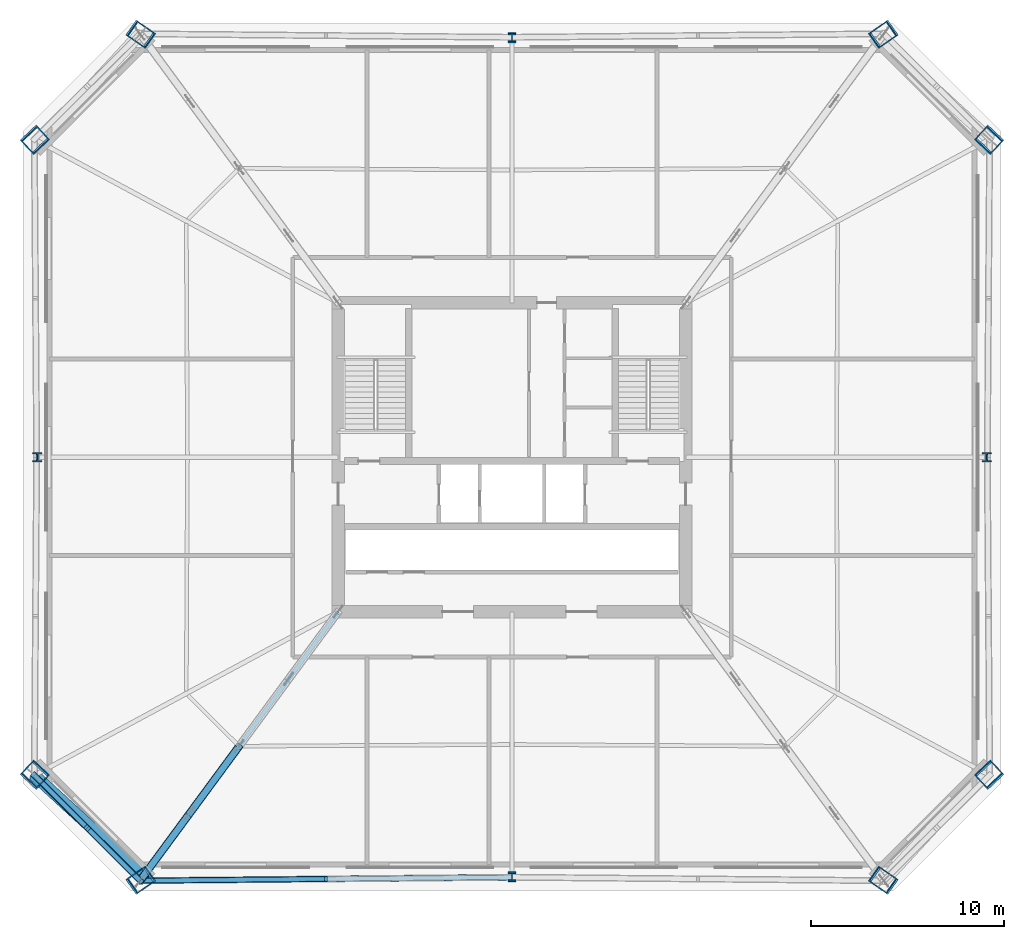
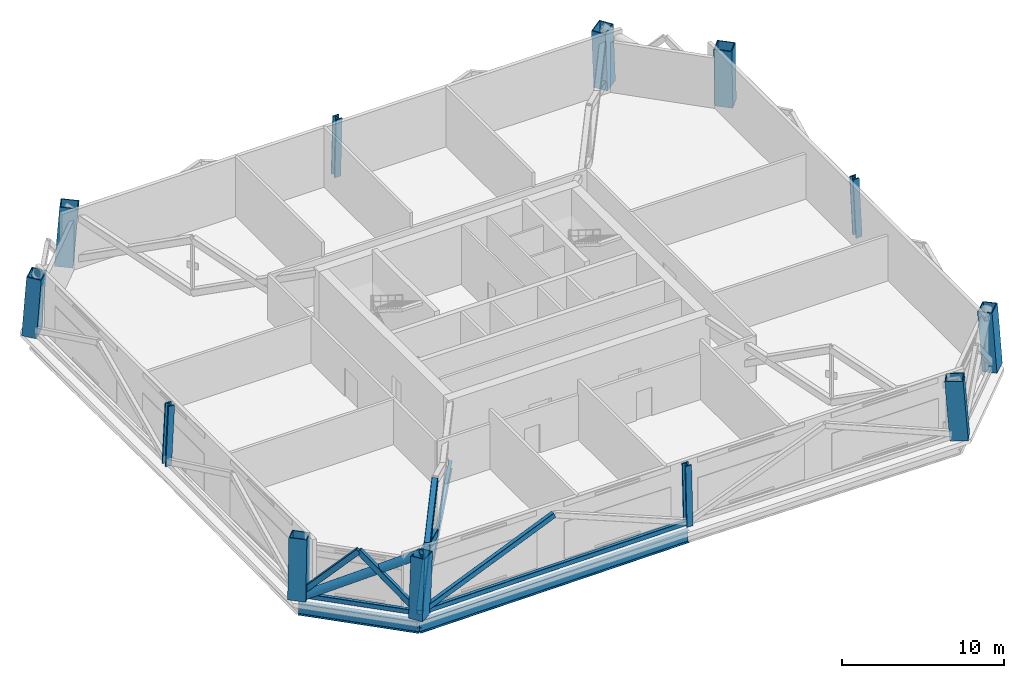
# One storey, part 1 of 14: 12 columns, 9 members, 3 beams.
"""IFC4 building model written with IfcOpenShell, lengths in metres."""

from ifc_helpers import new_model, si_unit, direction, frame, origin, origin_2d, place, context, subcontext, project, spatial, hollow_rectangle, hollow_circle, i_section, extrude, material, material_profile, profile_set, type_object, element, save


model = new_model("IFC4")

# Units and contexts
model_context = context("Model", 3, precision=1e-05, world=origin(), true_north=direction((0.0, 1.0)))
body_context = subcontext(model_context, "Body", "Model", "MODEL_VIEW")
ifc_project = project(units=[si_unit("LENGTHUNIT", "METRE"), si_unit("AREAUNIT", "SQUARE_METRE"), si_unit("VOLUMEUNIT", "CUBIC_METRE"), si_unit("PLANEANGLEUNIT", "RADIAN"), si_unit("MASSUNIT", "GRAM", prefix="KILO")], contexts=[model_context])

# Site, building, storey
site_placement = place(None, origin())
site = spatial("IfcSite", under=ifc_project, at=site_placement, CompositionType="ELEMENT")
building_placement = place(site_placement, origin())
building = spatial("IfcBuilding", under=site, at=building_placement, Name="Caelvoria Tower", CompositionType="ELEMENT")
storey_placement = place(building_placement, frame((0.0, 0.0, 85.60009765625)))
storey = spatial("IfcBuildingStorey", under=building, at=storey_placement, Name="L22", CompositionType="ELEMENT", Elevation=85.60009765625)

# Columns
ifc_material_1 = material(Name="Structural Steel ASTM A913 Gr.65", Category="steel")
ifc_material_profile_1 = material_profile(ifc_material_1, i_section(OverallWidth=0.427978515625, OverallDepth=0.48291015625, WebThickness=0.050537109375, FlangeThickness=0.08154296875, FilletRadius=0.02490234375, at=origin_2d()), Name="Structural Steel ASTM A913 Gr.65")
ifc_profile_set_1 = profile_set([ifc_material_profile_1], Name="W360X677 - Structural Steel ASTM A913 Gr.65")
column_type_1 = type_object("IfcColumnType", Name="Heavy Frame Column W360X677", PredefinedType="COLUMN", material=ifc_profile_set_1)
column_1_placement = place(storey_placement, frame((46.0, 10.25341796875, 0.0), z_axis=(0.0, 0.04091223057, 0.999162744196), x_axis=(-1.0, 0.0, 0.0)))
element("IfcColumn", 1, at=column_1_placement, inside=storey, type_object=column_type_1, Name="Perimeter Megaframe Column L22-P01", PredefinedType="COLUMN", context=body_context, shape_type="SweptSolid", body=[
    extrude(i_section(OverallWidth=0.427978515625, OverallDepth=0.48291015625, WebThickness=0.050537109375, FlangeThickness=0.08154296875, FilletRadius=0.02490234375, at=origin_2d()), origin(), (0.0, 0.0, 1.0), 4.4814453125),
])
column_2_placement = place(storey_placement, frame((70.61328125, 32.0, 0.0), z_axis=(-0.048305138147, 0.0, 0.998832625433), x_axis=(0.998832625433, 0.0, 0.048305138147)))
element("IfcColumn", 2, at=column_2_placement, inside=storey, type_object=column_type_1, Name="Perimeter Megaframe Column L22-P04", PredefinedType="COLUMN", context=body_context, shape_type="SweptSolid", body=[
    extrude(i_section(OverallWidth=0.427978515625, OverallDepth=0.48291015625, WebThickness=0.050537109375, FlangeThickness=0.08154296875, FilletRadius=0.02490234375, at=origin_2d()), origin(), (0.0, 0.0, 1.0), 4.48291015625),
])
column_3_placement = place(storey_placement, frame((46.0, 53.74658203125, 0.0), z_axis=(0.0, -0.04091223057, 0.999162744196), x_axis=(1.0, 0.0, 0.0)))
element("IfcColumn", 3, at=column_3_placement, inside=storey, type_object=column_type_1, Name="Perimeter Megaframe Column L22-P07", PredefinedType="COLUMN", context=body_context, shape_type="SweptSolid", body=[
    extrude(i_section(OverallWidth=0.427978515625, OverallDepth=0.48291015625, WebThickness=0.050537109375, FlangeThickness=0.08154296875, FilletRadius=0.02490234375, at=origin_2d()), origin(), (0.0, 0.0, 1.0), 4.4814453125),
])
column_4_placement = place(storey_placement, frame((21.38671875, 32.0, 0.0), z_axis=(0.048305138147, 0.0, 0.998832625433), x_axis=(-0.998832625433, 0.0, 0.048305138147)))
element("IfcColumn", 4, at=column_4_placement, inside=storey, type_object=column_type_1, Name="Perimeter Megaframe Column L22-P10", PredefinedType="COLUMN", context=body_context, shape_type="SweptSolid", body=[
    extrude(i_section(OverallWidth=0.427978515625, OverallDepth=0.48291015625, WebThickness=0.050537109375, FlangeThickness=0.08154296875, FilletRadius=0.02490234375, at=origin_2d()), origin(), (0.0, 0.0, 1.0), 4.48291015625),
])
ifc_material_2 = material(Name="Structural Steel ASTM A572 Gr.50", Category="steel")
ifc_material_profile_2 = material_profile(ifc_material_2, hollow_rectangle(XDim=0.949951171875, YDim=1.14990234375, WallThickness=0.06005859375, at=origin_2d()), Name="Structural Steel ASTM A572 Gr.50")
ifc_profile_set_2 = profile_set([ifc_material_profile_2], Name="BOX1150X950X60 - Structural Steel ASTM A572 Gr.50")
column_type_2 = type_object("IfcColumnType", Name="Mega Box Column 1150x950x60", PredefinedType="COLUMN", material=ifc_profile_set_2)
for number, where, z_axis, x_axis, name in (
    (5, (26.74169921875, 10.07421875, 0.0), (0.059112293674, 0.041112138011, 0.997404395842), (-0.570975970423, 0.820966772287, 0.0), "Perimeter Megaframe Column L22-P00"),
    (6, (65.25830078125, 10.07421875, 0.0), (-0.059112293674, 0.041112138011, 0.997404395842), (-0.570975970423, -0.820966772287, 0.0), "Perimeter Megaframe Column L22-P02"),
):
    element("IfcColumn", number, at=place(storey_placement, frame(where, z_axis=z_axis, x_axis=x_axis)), inside=storey, type_object=column_type_2, Name=name, PredefinedType="COLUMN", context=body_context, shape_type="SweptSolid", body=[
        extrude(hollow_rectangle(XDim=0.949951171875, YDim=1.14990234375, WallThickness=0.06005859375, at=origin_2d()), origin(), (0.0, 0.0, 1.0), 4.489501953125),
    ])
for number, where, z_axis, x_axis, name in (
    (7, (70.73388671875, 15.5322265625, 0.0), (-0.048457655791, 0.051666411899, 0.997488063827), (0.682375949735, -0.727561338101, 0.070834755052), "Perimeter Megaframe Column L22-P03"),
    (8, (70.73388671875, 48.4677734375, 0.0), (-0.048457655791, -0.051666411899, 0.997488063827), (0.682375949735, 0.727561338101, 0.070834755052), "Perimeter Megaframe Column L22-P05"),
):
    element("IfcColumn", number, at=place(storey_placement, frame(where, z_axis=z_axis, x_axis=x_axis)), inside=storey, type_object=column_type_2, Name=name, PredefinedType="COLUMN", context=body_context, shape_type="SweptSolid", body=[
        extrude(hollow_rectangle(XDim=0.949951171875, YDim=1.14990234375, WallThickness=0.06005859375, at=origin_2d()), origin(), (0.0, 0.0, 1.0), 4.489013671875),
    ])
for number, where, z_axis, x_axis, name in (
    (9, (65.25830078125, 53.92578125, 0.0), (-0.059112293674, -0.041112138011, 0.997404395842), (0.570975970423, -0.820966772287, 0.0), "Perimeter Megaframe Column L22-P06"),
    (10, (26.74169921875, 53.92578125, 0.0), (0.059112293674, -0.041112138011, 0.997404395842), (0.570975970423, 0.820966772287, 0.0), "Perimeter Megaframe Column L22-P08"),
):
    element("IfcColumn", number, at=place(storey_placement, frame(where, z_axis=z_axis, x_axis=x_axis)), inside=storey, type_object=column_type_2, Name=name, PredefinedType="COLUMN", context=body_context, shape_type="SweptSolid", body=[
        extrude(hollow_rectangle(XDim=0.949951171875, YDim=1.14990234375, WallThickness=0.06005859375, at=origin_2d()), origin(), (0.0, 0.0, 1.0), 4.489501953125),
    ])
for number, where, z_axis, x_axis, name in (
    (11, (21.26611328125, 48.4677734375, 0.0), (0.048457655791, -0.051666411899, 0.997488063827), (-0.682375949735, 0.727561338101, 0.070834755052), "Perimeter Megaframe Column L22-P09"),
    (12, (21.26611328125, 15.5322265625, 0.0), (0.048457655791, 0.051666411899, 0.997488063827), (-0.682375949735, -0.727561338101, 0.070834755052), "Perimeter Megaframe Column L22-P11"),
):
    element("IfcColumn", number, at=place(storey_placement, frame(where, z_axis=z_axis, x_axis=x_axis)), inside=storey, type_object=column_type_2, Name=name, PredefinedType="COLUMN", context=body_context, shape_type="SweptSolid", body=[
        extrude(hollow_rectangle(XDim=0.949951171875, YDim=1.14990234375, WallThickness=0.06005859375, at=origin_2d()), origin(), (0.0, 0.0, 1.0), 4.489013671875),
    ])

# Members
ifc_material_profile_3 = material_profile(ifc_material_2, hollow_rectangle(XDim=0.25, YDim=0.35009765625, WallThickness=0.013916015625, InnerFilletRadius=0.013916015625, OuterFilletRadius=0.028076171875, at=origin_2d()), Name="Structural Steel ASTM A572 Gr.50")
ifc_profile_set_3 = profile_set([ifc_material_profile_3], Name="HSS350X250X14 - Structural Steel ASTM A572 Gr.50")
member_type_1 = type_object("IfcMemberType", Name="Belt Truss Chord Member HSS350X250X14", PredefinedType="CHORD", material=ifc_profile_set_3)
member_1_placement = place(storey_placement, frame((26.74169921875, 10.07421875, 0.25), z_axis=(0.999956710946, 0.009304635098, 0.0), x_axis=(-0.009304635098, 0.999956710946, 0.0)))
element("IfcMember", 13, at=member_1_placement, inside=storey, type_object=member_type_1, Name="Belt Truss Bottom Chord L22-00", PredefinedType="CHORD", context=body_context, shape_type="SweptSolid", body=[
    extrude(hollow_rectangle(XDim=0.25, YDim=0.35009765625, WallThickness=0.013916015625, InnerFilletRadius=0.013916015625, OuterFilletRadius=0.028076171875, at=origin_2d()), origin(), (0.0, 0.0, 1.0), 19.259033203125),
])
member_2_placement = place(storey_placement, frame((21.26611328125, 15.5322265625, 0.25), z_axis=(0.708242693493, -0.705969041186, 0.0), x_axis=(0.705969041186, 0.708242693493, 0.0)))
element("IfcMember", 14, at=member_2_placement, inside=storey, type_object=member_type_1, Name="Belt Truss Bottom Chord L22-11", PredefinedType="CHORD", context=body_context, shape_type="SweptSolid", body=[
    extrude(hollow_rectangle(XDim=0.25, YDim=0.35009765625, WallThickness=0.013916015625, InnerFilletRadius=0.013916015625, OuterFilletRadius=0.028076171875, at=origin_2d()), origin(), (0.0, 0.0, 1.0), 7.731201171875),
])
ifc_material_profile_4 = material_profile(ifc_material_2, hollow_rectangle(XDim=0.300048828125, YDim=0.39990234375, WallThickness=0.01611328125, InnerFilletRadius=0.01611328125, OuterFilletRadius=0.031982421875, at=origin_2d()), Name="Structural Steel ASTM A572 Gr.50")
ifc_profile_set_4 = profile_set([ifc_material_profile_4], Name="HSS400X300X16 - Structural Steel ASTM A572 Gr.50")
member_type_2 = type_object("IfcMemberType", Name="Belt Truss Diagonal HSS400X300X16", PredefinedType="BRACE", material=ifc_profile_set_4)
member_3_placement = place(storey_placement, frame((26.74169921875, 10.07421875, 0.25), z_axis=(0.924135026447, 0.00859911145, 0.381969250301), x_axis=(-0.009304635098, 0.999956710946, 0.0)))
element("IfcMember", 15, at=member_3_placement, inside=storey, type_object=member_type_2, Name="Belt Truss Diagonal L22-00A", PredefinedType="BRACE", context=body_context, shape_type="SweptSolid", body=[
    extrude(hollow_rectangle(XDim=0.300048828125, YDim=0.39990234375, WallThickness=0.01611328125, InnerFilletRadius=0.01611328125, OuterFilletRadius=0.031982421875, at=origin_2d()), origin(), (0.0, 0.0, 1.0), 10.419677734375),
])
for number, where, z_axis, x_axis, name in (
    (16, (21.26611328125, 15.5322265625, 0.25), (0.493450508145, -0.491866397365, 0.717338165132), (0.705969041186, 0.708242693493, 0.0), "Belt Truss Diagonal L22-11A"),
    (17, (24.00390625, 12.80322265625, 4.22998046875), (0.493450508145, -0.491866397365, -0.717338165132), (0.705969041186, 0.708242693493, 0.0), "Belt Truss Diagonal L22-11B"),
):
    element("IfcMember", number, at=place(storey_placement, frame(where, z_axis=z_axis, x_axis=x_axis)), inside=storey, type_object=member_type_2, Name=name, PredefinedType="BRACE", context=body_context, shape_type="SweptSolid", body=[
        extrude(hollow_rectangle(XDim=0.300048828125, YDim=0.39990234375, WallThickness=0.01611328125, InnerFilletRadius=0.01611328125, OuterFilletRadius=0.031982421875, at=origin_2d()), origin(), (0.0, 0.0, 1.0), 5.54833984375),
    ])
ifc_material_profile_5 = material_profile(ifc_material_2, hollow_circle(Radius=0.304931640625, WallThickness=0.02490234375, at=origin_2d()), Name="Structural Steel ASTM A572 Gr.50")
ifc_profile_set_5 = profile_set([ifc_material_profile_5], Name="CHS610X25 - Structural Steel ASTM A572 Gr.50")
member_type_3 = type_object("IfcMemberType", Name="Lower Perimeter Mega Brace CHS610X25", PredefinedType="BRACE", material=ifc_profile_set_5)
member_4_placement = place(storey_placement, frame((21.26611328125, 15.5322265625, 0.0), z_axis=(0.638523775391, -0.586524071803, 0.498273922111), x_axis=(0.676483009384, 0.736458239152, 0.0)))
element("IfcMember", 18, at=member_4_placement, inside=storey, type_object=member_type_3, Name="Perimeter Chamfer Mega Brace L22 SW", PredefinedType="BRACE", context=body_context, shape_type="SweptSolid", body=[
    extrude(hollow_circle(Radius=0.304931640625, WallThickness=0.02490234375, at=origin_2d()), origin(), (0.0, 0.0, 1.0), 8.990966796875),
])
ifc_material_profile_6 = material_profile(ifc_material_2, hollow_rectangle(XDim=0.39990234375, YDim=0.5, WallThickness=0.02197265625, InnerFilletRadius=0.02197265625, OuterFilletRadius=0.0439453125, at=origin_2d()), Name="Structural Steel ASTM A572 Gr.50")
ifc_profile_set_6 = profile_set([ifc_material_profile_6], Name="HSS500X400X22 - Structural Steel ASTM A572 Gr.50")
member_type_4 = type_object("IfcMemberType", Name="Outrigger Diagonal HSS500X400X22", PredefinedType="BRACE", material=ifc_profile_set_6)
member_5_placement = place(storey_placement, frame((31.870849609375, 17.037109375, 0.25), z_axis=(-0.538776675709, -0.731396581999, 0.418065465629), x_axis=(0.805133172892, -0.593094068348, 0.0)))
element("IfcMember", 19, at=member_5_placement, inside=storey, type_object=member_type_4, Name="Outrigger Truss Diagonal L22-SW-2A", PredefinedType="BRACE", context=body_context, shape_type="SweptSolid", body=[
    extrude(hollow_rectangle(XDim=0.39990234375, YDim=0.5, WallThickness=0.02197265625, InnerFilletRadius=0.02197265625, OuterFilletRadius=0.0439453125, at=origin_2d()), origin(), (0.0, 0.0, 1.0), 9.52001953125),
])
for number, where, z_axis, x_axis, name in (
    (20, (31.870849609375, 17.037109375, 4.22998046875), (-0.538758474541, -0.731406687638, -0.418071242001), (0.805146653518, -0.593075767781, 0.0), "Outrigger Truss Diagonal L22-SW-2B1"),
    (21, (29.306396484375, 13.5556640625, 2.239990234375), (-0.538794876123, -0.731386476298, -0.418059689222), (0.805119692301, -0.593112367996, 0.0), "Outrigger Truss Diagonal L22-SW-2B2"),
):
    element("IfcMember", number, at=place(storey_placement, frame(where, z_axis=z_axis, x_axis=x_axis)), inside=storey, type_object=member_type_4, Name=name, PredefinedType="BRACE", context=body_context, shape_type="SweptSolid", body=[
        extrude(hollow_rectangle(XDim=0.39990234375, YDim=0.5, WallThickness=0.02197265625, InnerFilletRadius=0.02197265625, OuterFilletRadius=0.0439453125, at=origin_2d()), origin(), (0.0, 0.0, 1.0), 4.760009765625),
    ])

# Beams
ifc_material_3 = material(Name="Structural Steel ASTM A992 Gr.50", Category="steel")
ifc_material_profile_7 = material_profile(ifc_material_3, i_section(OverallWidth=0.30810546875, OverallDepth=0.927001953125, WebThickness=0.019287109375, FlangeThickness=0.031982421875, FilletRadius=0.02392578125, at=origin_2d()), Name="Structural Steel ASTM A992 Gr.50")
ifc_profile_set_7 = profile_set([ifc_material_profile_7], Name="W920X289 - Structural Steel ASTM A992 Gr.50")
beam_type_1 = type_object("IfcBeamType", Name="Outrigger Tie Girder W920X289", PredefinedType="BEAM", material=ifc_profile_set_7)
beam_1_placement = place(storey_placement, frame((26.74169921875, 10.07421875, -0.78369140625), z_axis=(0.999956710946, 0.009304635098, 0.0), x_axis=(-0.009304635098, 0.999956710946, 0.0)))
element("IfcBeam", 22, at=beam_1_placement, inside=storey, type_object=beam_type_1, Name="Perimeter Spandrel Girder L22-00", PredefinedType="BEAM", context=body_context, shape_type="SweptSolid", body=[
    extrude(i_section(OverallWidth=0.30810546875, OverallDepth=0.927001953125, WebThickness=0.019287109375, FlangeThickness=0.031982421875, FilletRadius=0.02392578125, at=origin_2d()), origin(), (0.0, 0.0, 1.0), 19.259033203125),
])
beam_2_placement = place(storey_placement, frame((21.26611328125, 15.5322265625, -0.78369140625), z_axis=(0.708242693493, -0.705969041186, 0.0), x_axis=(0.705969041186, 0.708242693493, 0.0)))
element("IfcBeam", 23, at=beam_2_placement, inside=storey, type_object=beam_type_1, Name="Perimeter Spandrel Girder L22-11", PredefinedType="BEAM", context=body_context, shape_type="SweptSolid", body=[
    extrude(i_section(OverallWidth=0.30810546875, OverallDepth=0.927001953125, WebThickness=0.019287109375, FlangeThickness=0.031982421875, FilletRadius=0.02392578125, at=origin_2d()), origin(), (0.0, 0.0, 1.0), 7.731201171875),
])
ifc_material_profile_8 = material_profile(ifc_material_3, i_section(OverallWidth=0.22900390625, OverallDepth=0.612060546875, WebThickness=0.011962890625, FlangeThickness=0.01953125, FilletRadius=0.01806640625, at=origin_2d()), Name="Structural Steel ASTM A992 Gr.50")
ifc_profile_set_8 = profile_set([ifc_material_profile_8], Name="W610X125 - Structural Steel ASTM A992 Gr.50")
beam_type_2 = type_object("IfcBeamType", Name="Primary Radial Floor Girder W610X125", PredefinedType="BEAM", material=ifc_profile_set_8)
beam_3_placement = place(storey_placement, frame((37.0, 24.0, -0.6259765625), z_axis=(-0.593094068348, -0.805133172892, 0.0), x_axis=(0.805133172892, -0.593094068348, 0.0)))
element("IfcBeam", 24, at=beam_3_placement, inside=storey, type_object=beam_type_2, Name="Primary Floor Girder L22-00", PredefinedType="BEAM", context=body_context, shape_type="SweptSolid", body=[
    extrude(i_section(OverallWidth=0.22900390625, OverallDepth=0.612060546875, WebThickness=0.011962890625, FlangeThickness=0.01953125, FilletRadius=0.01806640625, at=origin_2d()), origin(), (0.0, 0.0, 1.0), 17.296142578125),
])

save(model, "model.ifc")
